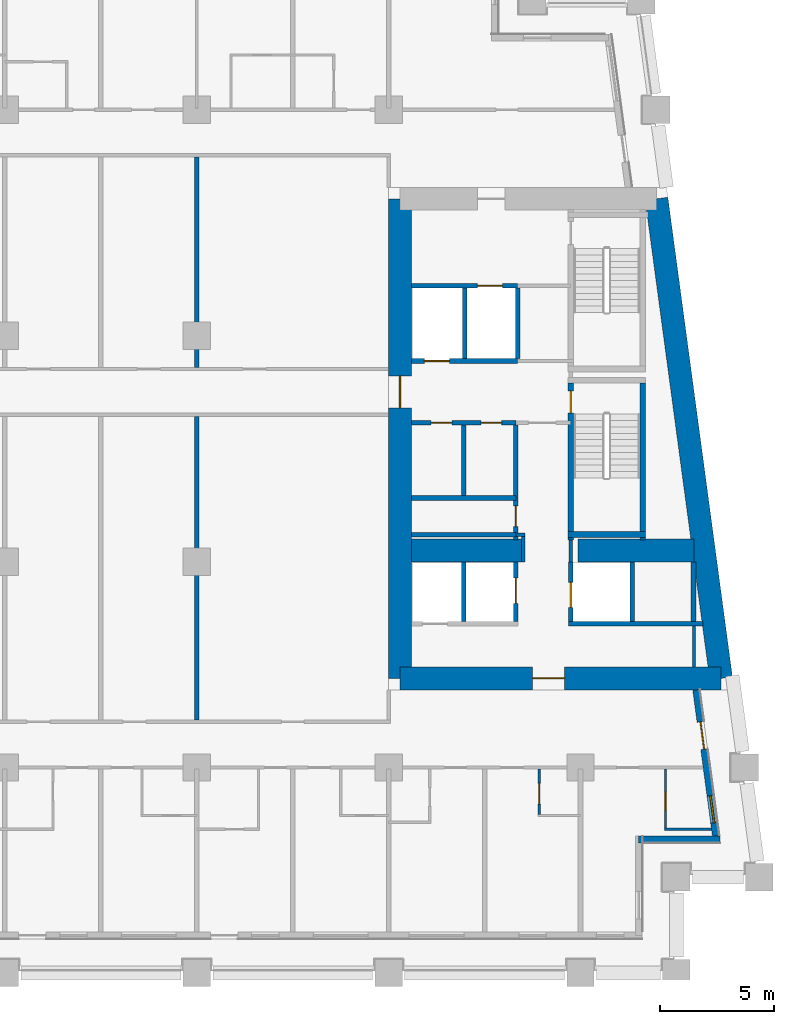
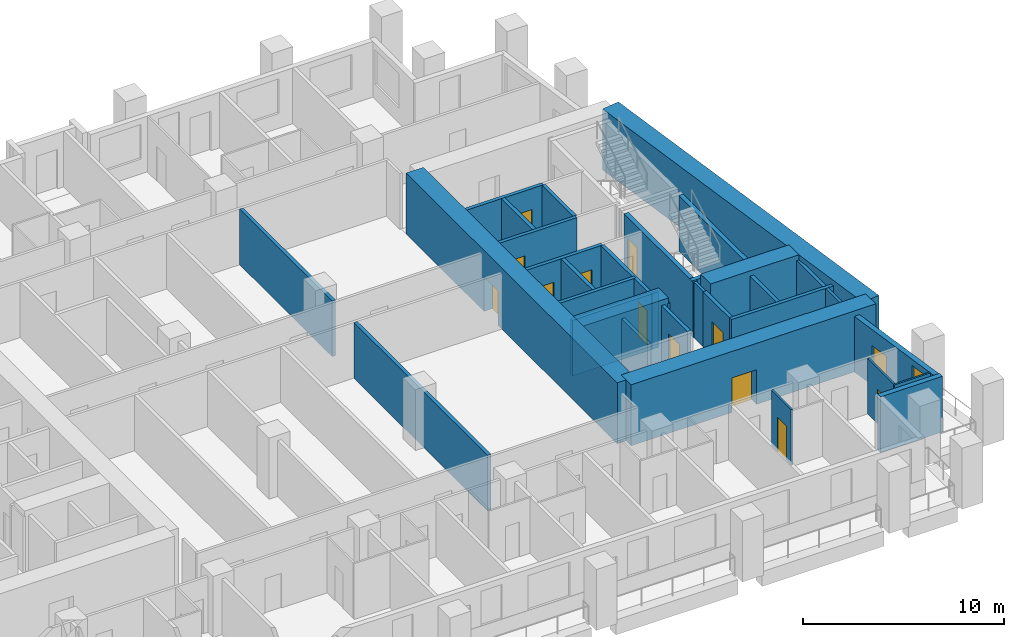
# One storey, part 5 of 13: 34 walls, 13 doors, 1 window, 14 openings.
"""IFC4 building model written with IfcOpenShell, lengths in metres."""

from ifc_helpers import new_model, si_unit, direction, frame, frame_2d, origin, place, context, subcontext, project, spatial, rectangle, extrude, material, layer, layer_set, type_object, element, fill, save


model = new_model("IFC4")

# Units and contexts
model_context = context("Model", 3, precision=1e-05, world=origin(), true_north=direction((0.0, 1.0)))
body_context = subcontext(model_context, "Body", "Model", "MODEL_VIEW")
ifc_project = project(units=[si_unit("LENGTHUNIT", "METRE"), si_unit("AREAUNIT", "SQUARE_METRE"), si_unit("VOLUMEUNIT", "CUBIC_METRE"), si_unit("PLANEANGLEUNIT", "RADIAN"), si_unit("MASSUNIT", "GRAM", prefix="KILO")], contexts=[model_context])

# Site, building, storey
site_placement = place(None, origin())
site = spatial("IfcSite", under=ifc_project, at=site_placement, CompositionType="ELEMENT")
building_placement = place(site_placement, origin())
building = spatial("IfcBuilding", under=site, at=building_placement, Name="Candeia Pilgrim Tower and Theatre", CompositionType="ELEMENT")
storey_placement = place(building_placement, frame((0.0, 0.0, 91.0)))
storey = spatial("IfcBuildingStorey", under=building, at=storey_placement, Name="L20", CompositionType="ELEMENT", Elevation=91.0)

# Wall
ifc_material_1 = material(Name="Concrete C70/85", Category="concrete")
ifc_layer_1 = layer(ifc_material_1, 1.0)
ifc_layer_set_1 = layer_set([ifc_layer_1], Name="Core wall 1000 C70/85")
wall_type_1 = type_object("IfcWallType", Name="Core wall 1000 C70/85", PredefinedType="SHEAR", material=ifc_layer_set_1)
wall_1_placement = place(storey_placement, frame((137.73193359375, 131.89990234375, 0.0), z_axis=(0.0, 0.0, 1.0), x_axis=(0.133411141623, -0.991060778808, 0.0)))
element("IfcWall", 1, at=wall_1_placement, inside=storey, type_object=wall_type_1, Name="Core wall E2", PredefinedType="SHEAR", context=body_context, shape_type="SweptSolid", body=[
    extrude(rectangle(XDim=21.189453125, YDim=1.0, at=frame_2d((10.5947265625, 0.0))), origin(), (0.0, 0.0, 1.0), 3.699951171875),
])

# Wall, opening, door
wall_2_placement = place(storey_placement, frame((140.558837890625, 110.89990234375, 0.0), z_axis=(0.0, 0.0, 1.0), x_axis=(-1.0, 0.0, 0.0)))
wall_2 = element("IfcWall", 2, at=wall_2_placement, inside=storey, type_object=wall_type_1, Name="Core wall E3", PredefinedType="SHEAR", context=body_context, shape_type="SweptSolid", body=[
    extrude(rectangle(XDim=14.058837890625, YDim=1.0, at=frame_2d((7.029296875, 0.0))), origin(), (0.0, 0.0, 1.0), 3.699951171875),
])
opening_1_placement = place(wall_2_placement, frame((6.857666015625, 0.0, 0.0)))
opening_1 = element("IfcOpeningElement", 3, at=opening_1_placement, cuts=wall_2, Name="Opening L20-D062", PredefinedType="OPENING", context=body_context, shape_type="SweptSolid", body=[
    extrude(rectangle(XDim=1.39990234375, YDim=2.10009765625, at=frame_2d((0.699951171875, 1.050048828125))), frame((0.0, 0.510009765625, 0.0), z_axis=(0.0, -1.0, 0.0), x_axis=(1.0, 0.0, 0.0)), (0.0, 0.0, 1.0), 1.02001953125),
])
ifc_material_2 = material(Name="Steel fire door set", Category="steel")
door_type_1 = type_object("IfcDoorType", Name="D-1400-FD60", OperationType="NOTDEFINED", PredefinedType="DOOR", material=ifc_material_2)
door_1_placement = place(opening_1_placement, origin())
door_1 = element("IfcDoor", 4, at=door_1_placement, inside=storey, type_object=door_type_1, Name="Door L20-D062", OperationType="SINGLE_SWING_RIGHT", OverallHeight=2.10009765625, OverallWidth=1.39990234375, PredefinedType="DOOR", context=body_context, shape_type="SweptSolid", body=[
    extrude(rectangle(XDim=1.39990234375, YDim=2.10009765625, at=frame_2d((0.699951171875, 1.050048828125))), frame((0.0, 0.02490234375, 0.0), z_axis=(0.0, -1.0, 0.0), x_axis=(1.0, 0.0, 0.0)), (0.0, 0.0, 1.0), 0.050048828125),
])
fill(opening_1, door_1)

wall_3_placement = place(storey_placement, frame((126.5, 110.89990234375, 0.0), z_axis=(0.0, 0.0, 1.0), x_axis=(0.0, 1.0, 0.0)))
wall_3 = element("IfcWall", 5, at=wall_3_placement, inside=storey, type_object=wall_type_1, Name="Core wall E4", PredefinedType="SHEAR", context=body_context, shape_type="SweptSolid", body=[
    extrude(rectangle(XDim=21.0, YDim=1.0, at=frame_2d((10.5, 0.0))), origin(), (0.0, 0.0, 1.0), 3.699951171875),
])
opening_2_placement = place(wall_3_placement, frame((11.85009765625, 0.0, 0.0)))
opening_2 = element("IfcOpeningElement", 6, at=opening_2_placement, cuts=wall_3, Name="Opening L20-D064", PredefinedType="OPENING", context=body_context, shape_type="SweptSolid", body=[
    extrude(rectangle(XDim=1.39990234375, YDim=2.10009765625, at=frame_2d((0.699951171875, 1.050048828125))), frame((0.0, 0.510009765625, 0.0), z_axis=(0.0, -1.0, 0.0), x_axis=(1.0, 0.0, 0.0)), (0.0, 0.0, 1.0), 1.02001953125),
])
door_2_placement = place(opening_2_placement, origin())
door_2 = element("IfcDoor", 7, at=door_2_placement, inside=storey, type_object=door_type_1, Name="Door L20-D064", OperationType="SINGLE_SWING_RIGHT", OverallHeight=2.10009765625, OverallWidth=1.39990234375, PredefinedType="DOOR", context=body_context, shape_type="SweptSolid", body=[
    extrude(rectangle(XDim=1.39990234375, YDim=2.10009765625, at=frame_2d((0.699951171875, 1.050048828125))), frame((0.0, 0.02490234375, 0.0), z_axis=(0.0, -1.0, 0.0), x_axis=(1.0, 0.0, 0.0)), (0.0, 0.0, 1.0), 0.050048828125),
])
fill(opening_2, door_2)

# Walls
wall_4_placement = place(storey_placement, frame((127.0, 116.5, 0.0), z_axis=(0.0, 0.0, 1.0), x_axis=(1.0, 0.0, 0.0)))
element("IfcWall", 8, at=wall_4_placement, inside=storey, type_object=wall_type_1, Name="Core wall E5", PredefinedType="SHEAR", context=body_context, shape_type="SweptSolid", body=[
    extrude(rectangle(XDim=4.89990234375, YDim=1.0, at=frame_2d((2.449951171875, 0.0))), origin(), (0.0, 0.0, 1.0), 3.699951171875),
])
wall_5_placement = place(storey_placement, frame((134.300048828125, 116.5, 0.0), z_axis=(0.0, 0.0, 1.0), x_axis=(1.0, 0.0, 0.0)))
element("IfcWall", 9, at=wall_5_placement, inside=storey, type_object=wall_type_1, Name="Core wall E6", PredefinedType="SHEAR", context=body_context, shape_type="SweptSolid", body=[
    extrude(rectangle(XDim=5.076904296875, YDim=1.0, at=frame_2d((2.53857421875, 0.0))), origin(), (0.0, 0.0, 1.0), 3.699951171875),
])
ifc_material_3 = material(Name="Ceramic block masonry", Category="masonry")
ifc_layer_2 = layer(ifc_material_3, 0.300048828125)
ifc_layer_set_2 = layer_set([ifc_layer_2], Name="EW1 glazing-line wall 300")
wall_type_2 = type_object("IfcWallType", Name="EW1 glazing-line wall 300", PredefinedType="SOLIDWALL", material=ifc_layer_set_2)
wall_6_placement = place(storey_placement, frame((136.949951171875, 103.85009765625, 0.0), z_axis=(0.0, 0.0, 1.0), x_axis=(1.0, 0.0, 0.0)))
element("IfcWall", 10, at=wall_6_placement, inside=storey, type_object=wall_type_2, Name="External wall L20-2.0", PredefinedType="SOLIDWALL", context=body_context, shape_type="SweptSolid", body=[
    extrude(rectangle(XDim=3.569091796875, YDim=0.300048828125, at=frame_2d((1.78466796875, 0.0))), origin(), (0.0, 0.0, 1.0), 3.3798828125),
])

# Wall, openings, door, window
wall_7_placement = place(storey_placement, frame((140.34765625, 103.85009765625, 0.0), z_axis=(0.0, 0.0, 1.0), x_axis=(-0.133431549479, 0.991058031401, 0.0)))
wall_7 = element("IfcWall", 11, at=wall_7_placement, inside=storey, type_object=wall_type_2, Name="External wall L20-3.0", PredefinedType="SOLIDWALL", context=body_context, shape_type="SweptSolid", body=[
    extrude(rectangle(XDim=6.60888671875, YDim=0.300048828125, at=frame_2d((3.304443359375, 0.0))), origin(), (0.0, 0.0, 1.0), 3.3798828125),
])
opening_3_placement = place(wall_7_placement, frame((0.736572265625, 0.0, 0.89990234375)))
opening_3 = element("IfcOpeningElement", 12, at=opening_3_placement, cuts=wall_7, Name="Opening W-B", PredefinedType="OPENING", context=body_context, shape_type="SweptSolid", body=[
    extrude(rectangle(XDim=1.199951171875, YDim=2.10009765625, at=frame_2d((0.60009765625, 1.050048828125))), frame((0.0, 0.16015625, 0.0), z_axis=(0.0, -1.0, 0.0), x_axis=(1.0, 0.0, 0.0)), (0.0, 0.0, 1.0), 0.320068359375),
])
opening_4_placement = place(wall_7_placement, frame((3.990966796875, 0.0, 0.0)))
opening_4 = element("IfcOpeningElement", 13, at=opening_4_placement, cuts=wall_7, Name="Opening L20-ED207", PredefinedType="OPENING", context=body_context, shape_type="SweptSolid", body=[
    extrude(rectangle(XDim=1.199951171875, YDim=2.39990234375, at=frame_2d((0.60009765625, 1.199951171875))), frame((0.0, 0.16015625, 0.0), z_axis=(0.0, -1.0, 0.0), x_axis=(1.0, 0.0, 0.0)), (0.0, 0.0, 1.0), 0.320068359375),
])
ifc_material_4 = material(Name="Aluminium framed glazed door", Category="aluminium")
door_type_2 = type_object("IfcDoorType", Name="Loggia door 1200x2400", OperationType="DOUBLE_DOOR_SINGLE_SWING", PredefinedType="DOOR", material=ifc_material_4)
door_3_placement = place(opening_4_placement, origin())
door_3 = element("IfcDoor", 14, at=door_3_placement, inside=storey, type_object=door_type_2, Name="Loggia door L20-ED207", OperationType="DOUBLE_DOOR_SINGLE_SWING", OverallHeight=2.39990234375, OverallWidth=1.199951171875, PredefinedType="DOOR", context=body_context, shape_type="SweptSolid", body=[
    extrude(rectangle(XDim=1.199951171875, YDim=2.39990234375, at=frame_2d((0.60009765625, 1.199951171875))), frame((0.0, 0.02490234375, 0.0), z_axis=(0.0, -1.0, 0.0), x_axis=(1.0, 0.0, 0.0)), (0.0, 0.0, 1.0), 0.050048828125),
])
fill(opening_4, door_3)
ifc_material_5 = material(Name="Aluminium framed double glazing", Category="aluminium")
window_type = type_object("IfcWindowType", Name="W-B window 1200x2100", PartitioningType="SINGLE_PANEL", PredefinedType="WINDOW", material=ifc_material_5)
window_placement = place(opening_3_placement, origin())
window = element("IfcWindow", 15, at=window_placement, inside=storey, type_object=window_type, Name="Window W-B L20", OverallHeight=2.10009765625, OverallWidth=1.199951171875, PartitioningType="SINGLE_PANEL", PredefinedType="WINDOW", context=body_context, shape_type="SweptSolid", body=[
    extrude(rectangle(XDim=1.199951171875, YDim=2.10009765625, at=frame_2d((0.60009765625, 1.050048828125))), frame((0.0, 0.030029296875, 0.0), z_axis=(0.0, -1.0, 0.0), x_axis=(1.0, 0.0, 0.0)), (0.0, 0.0, 1.0), 0.06005859375),
])
fill(opening_3, window)

# Wall
ifc_material_6 = material(Name="Gypsum board partition on steel studs", Category="steel")
ifc_layer_3 = layer(ifc_material_6, 0.10009765625)
ifc_layer_set_3 = layer_set([ifc_layer_3], Name="PW-100 room partition")
wall_type_3 = type_object("IfcWallType", Name="PW-100 room partition", PredefinedType="PARTITIONING", material=ifc_layer_set_3)
wall_8_placement = place(storey_placement, frame((138.070068359375, 104.300048828125, 0.0), z_axis=(0.0, 0.0, 1.0), x_axis=(1.0, 0.0, 0.0)))
element("IfcWall", 16, at=wall_8_placement, inside=storey, type_object=wall_type_3, Name="Room partition L20-003", PredefinedType="PARTITIONING", context=body_context, shape_type="SweptSolid", body=[
    extrude(rectangle(XDim=2.07568359375, YDim=0.10009765625, at=frame_2d((1.037841796875, 0.0))), origin(), (0.0, 0.0, 1.0), 3.3798828125),
])

# Wall, opening, door
wall_9_placement = place(storey_placement, frame((132.60009765625, 104.949951171875, 0.0), z_axis=(0.0, 0.0, 1.0), x_axis=(0.0, 1.0, 0.0)))
wall_9 = element("IfcWall", 17, at=wall_9_placement, inside=storey, type_object=wall_type_3, Name="Room partition L20-116", PredefinedType="PARTITIONING", context=body_context, shape_type="SweptSolid", body=[
    extrude(rectangle(XDim=1.97509765625, YDim=0.10009765625, at=frame_2d((0.987548828125, 0.0))), origin(), (0.0, 0.0, 1.0), 3.3798828125),
])
opening_5_placement = place(wall_9_placement, frame((0.449951171875, 0.0, 0.0)))
opening_5 = element("IfcOpeningElement", 18, at=opening_5_placement, cuts=wall_9, Name="Opening L20-D031", PredefinedType="OPENING", context=body_context, shape_type="SweptSolid", body=[
    extrude(rectangle(XDim=0.89990234375, YDim=2.10009765625, at=frame_2d((0.449951171875, 1.050048828125))), frame((0.0, 0.06005859375, 0.0), z_axis=(0.0, -1.0, 0.0), x_axis=(1.0, 0.0, 0.0)), (0.0, 0.0, 1.0), 0.1201171875),
])
ifc_material_7 = material(Name="Timber door leaf", Category="wood")
door_type_3 = type_object("IfcDoorType", Name="D-900", OperationType="NOTDEFINED", PredefinedType="DOOR", material=ifc_material_7)
door_4_placement = place(opening_5_placement, origin())
door_4 = element("IfcDoor", 19, at=door_4_placement, inside=storey, type_object=door_type_3, Name="Door L20-D031", OperationType="SINGLE_SWING_LEFT", OverallHeight=2.10009765625, OverallWidth=0.89990234375, PredefinedType="DOOR", context=body_context, shape_type="SweptSolid", body=[
    extrude(rectangle(XDim=0.89990234375, YDim=2.10009765625, at=frame_2d((0.449951171875, 1.050048828125))), frame((0.0, 0.02490234375, 0.0), z_axis=(0.0, -1.0, 0.0), x_axis=(1.0, 0.0, 0.0)), (0.0, 0.0, 1.0), 0.050048828125),
])
fill(opening_5, door_4)

wall_10_placement = place(storey_placement, frame((138.1201171875, 104.35009765625, 0.0), z_axis=(0.0, 0.0, 1.0), x_axis=(0.0, 1.0, 0.0)))
wall_10 = element("IfcWall", 20, at=wall_10_placement, inside=storey, type_object=wall_type_3, Name="Room partition L20-126", PredefinedType="PARTITIONING", context=body_context, shape_type="SweptSolid", body=[
    extrude(rectangle(XDim=2.574951171875, YDim=0.10009765625, at=frame_2d((1.28759765625, 0.0))), origin(), (0.0, 0.0, 1.0), 3.3798828125),
])
opening_6_placement = place(wall_10_placement, frame((0.780029296875, 0.0, 0.0)))
opening_6 = element("IfcOpeningElement", 21, at=opening_6_placement, cuts=wall_10, Name="Opening L20-D033", PredefinedType="OPENING", context=body_context, shape_type="SweptSolid", body=[
    extrude(rectangle(XDim=0.800048828125, YDim=2.10009765625, at=frame_2d((0.39990234375, 1.050048828125))), frame((0.0, 0.06005859375, 0.0), z_axis=(0.0, -1.0, 0.0), x_axis=(1.0, 0.0, 0.0)), (0.0, 0.0, 1.0), 0.1201171875),
])
door_type_4 = type_object("IfcDoorType", Name="D-800", OperationType="NOTDEFINED", PredefinedType="DOOR", material=ifc_material_7)
door_5_placement = place(opening_6_placement, origin())
door_5 = element("IfcDoor", 22, at=door_5_placement, inside=storey, type_object=door_type_4, Name="Door L20-D033", OperationType="SINGLE_SWING_LEFT", OverallHeight=2.10009765625, OverallWidth=0.800048828125, PredefinedType="DOOR", context=body_context, shape_type="SweptSolid", body=[
    extrude(rectangle(XDim=0.800048828125, YDim=2.10009765625, at=frame_2d((0.39990234375, 1.050048828125))), frame((0.0, 0.02490234375, 0.0), z_axis=(0.0, -1.0, 0.0), x_axis=(1.0, 0.0, 0.0)), (0.0, 0.0, 1.0), 0.050048828125),
])
fill(opening_6, door_5)

# Walls
ifc_layer_4 = layer(ifc_material_6, 0.14990234375)
ifc_layer_set_4 = layer_set([ifc_layer_4], Name="PW-150 lobby wall")
wall_type_4 = type_object("IfcWallType", Name="PW-150 lobby wall", PredefinedType="PARTITIONING", material=ifc_layer_set_4)
wall_11_placement = place(storey_placement, frame((131.572998046875, 117.199951171875, 0.0), z_axis=(0.0, 0.0, 1.0), x_axis=(1.0, 0.0, 0.0)))
element("IfcWall", 23, at=wall_11_placement, inside=storey, type_object=wall_type_4, Name="Lobby wall L20-019", PredefinedType="PARTITIONING", context=body_context, shape_type="SweptSolid", body=[
    extrude(rectangle(XDim=0.402099609375, YDim=0.14990234375, at=frame_2d((0.201171875, 0.0))), origin(), (0.0, 0.0, 1.0), 3.3798828125),
])
wall_12_placement = place(storey_placement, frame((131.89990234375, 116.0, 0.0), z_axis=(0.0, 0.0, 1.0), x_axis=(0.0, 1.0, 0.0)))
element("IfcWall", 24, at=wall_12_placement, inside=storey, type_object=wall_type_4, Name="Lobby wall L20-115", PredefinedType="PARTITIONING", context=body_context, shape_type="SweptSolid", body=[
    extrude(rectangle(XDim=1.125, YDim=0.14990234375, at=frame_2d((0.5625, 0.0))), origin(), (0.0, 0.0, 1.0), 3.3798828125),
])
wall_13_placement = place(storey_placement, frame((133.972900390625, 116.0, 0.0), z_axis=(0.0, 0.0, 1.0), x_axis=(0.0, 1.0, 0.0)))
element("IfcWall", 25, at=wall_13_placement, inside=storey, type_object=wall_type_4, Name="Lobby wall L20-118", PredefinedType="PARTITIONING", context=body_context, shape_type="SweptSolid", body=[
    extrude(rectangle(XDim=0.969970703125, YDim=0.14990234375, at=frame_2d((0.48486328125, 0.0))), origin(), (0.0, 0.0, 1.0), 3.3798828125),
])
wall_14_placement = place(storey_placement, frame((139.37109375, 111.39990234375, 0.0), z_axis=(0.0, 0.0, 1.0), x_axis=(0.0, 1.0, 0.0)))
element("IfcWall", 26, at=wall_14_placement, inside=storey, type_object=wall_type_4, Name="Lobby wall L20-128", PredefinedType="PARTITIONING", context=body_context, shape_type="SweptSolid", body=[
    extrude(rectangle(XDim=1.800048828125, YDim=0.14990234375, at=frame_2d((0.89990234375, 0.0))), origin(), (0.0, 0.0, 1.0), 3.3798828125),
])
ifc_layer_5 = layer(ifc_material_6, 0.199951171875)
ifc_layer_set_5 = layer_set([ifc_layer_5], Name="PW-200 party wall")
wall_type_5 = type_object("IfcWallType", Name="PW-200 party wall", PredefinedType="PARTITIONING", material=ifc_layer_set_5)
wall_15_placement = place(storey_placement, frame((117.60009765625, 109.074951171875, 0.0), z_axis=(0.0, 0.0, 1.0), x_axis=(0.0, 1.0, 0.0)))
element("IfcWall", 27, at=wall_15_placement, inside=storey, type_object=wall_type_5, Name="Party wall L20-095", PredefinedType="PARTITIONING", context=body_context, shape_type="SweptSolid", body=[
    extrude(rectangle(XDim=13.300048828125, YDim=0.199951171875, at=frame_2d((6.64990234375, 0.0))), origin(), (0.0, 0.0, 1.0), 3.3798828125),
])
wall_16_placement = place(storey_placement, frame((117.60009765625, 124.52490234375, 0.0), z_axis=(0.0, 0.0, 1.0), x_axis=(0.0, 1.0, 0.0)))
element("IfcWall", 28, at=wall_16_placement, inside=storey, type_object=wall_type_5, Name="Party wall L20-096", PredefinedType="PARTITIONING", context=body_context, shape_type="SweptSolid", body=[
    extrude(rectangle(XDim=9.2001953125, YDim=0.199951171875, at=frame_2d((4.60009765625, 0.0))), origin(), (0.0, 0.0, 1.0), 3.3798828125),
])
ifc_material_8 = material(Name="Concrete C40/50", Category="concrete")
ifc_layer_6 = layer(ifc_material_8, 0.199951171875)
ifc_layer_set_6 = layer_set([ifc_layer_6], Name="SW-200 shaft wall")
wall_type_6 = type_object("IfcWallType", Name="SW-200 shaft wall", PredefinedType="PARTITIONING", material=ifc_layer_set_6)
wall_17_placement = place(storey_placement, frame((133.873046875, 113.300048828125, 0.0), z_axis=(0.0, 0.0, 1.0), x_axis=(1.0, 0.0, 0.0)))
element("IfcWall", 29, at=wall_17_placement, inside=storey, type_object=wall_type_6, Name="Shaft wall L20-015", PredefinedType="PARTITIONING", context=body_context, shape_type="SweptSolid", body=[
    extrude(rectangle(XDim=5.888427734375, YDim=0.199951171875, at=frame_2d((2.9443359375, 0.0))), origin(), (0.0, 0.0, 1.0), 3.3798828125),
])
for number, where, z_axis, x_axis, name in (
    (30, (127.0, 117.199951171875, 0.0), (0.0, 0.0, 1.0), (1.0, 0.0, 0.0), "Shaft wall L20-017"),
    (31, (127.0, 118.800048828125, 0.0), (0.0, 0.0, 1.0), (1.0, 0.0, 0.0), "Shaft wall L20-023"),
):
    element("IfcWall", number, at=place(storey_placement, frame(where, z_axis=z_axis, x_axis=x_axis)), inside=storey, type_object=wall_type_6, Name=name, PredefinedType="PARTITIONING", context=body_context, shape_type="SweptSolid", body=[
        extrude(rectangle(XDim=4.572998046875, YDim=0.199951171875, at=frame_2d((2.28662109375, 0.0))), origin(), (0.0, 0.0, 1.0), 3.3798828125),
    ])

# Wall, openings, doors
wall_18_placement = place(storey_placement, frame((127.0, 122.10009765625, 0.0), z_axis=(0.0, 0.0, 1.0), x_axis=(1.0, 0.0, 0.0)))
wall_18 = element("IfcWall", 32, at=wall_18_placement, inside=storey, type_object=wall_type_6, Name="Shaft wall L20-025", PredefinedType="PARTITIONING", context=body_context, shape_type="SweptSolid", body=[
    extrude(rectangle(XDim=4.572998046875, YDim=0.199951171875, at=frame_2d((2.28662109375, 0.0))), origin(), (0.0, 0.0, 1.0), 3.3798828125),
])
opening_7_placement = place(wall_18_placement, frame((3.048095703125, 0.0, 0.0)))
opening_7 = element("IfcOpeningElement", 33, at=opening_7_placement, cuts=wall_18, Name="Opening L20-D008", PredefinedType="OPENING", context=body_context, shape_type="SweptSolid", body=[
    extrude(rectangle(XDim=0.89990234375, YDim=2.10009765625, at=frame_2d((0.449951171875, 1.050048828125))), frame((0.0, 0.10986328125, 0.0), z_axis=(0.0, -1.0, 0.0), x_axis=(1.0, 0.0, 0.0)), (0.0, 0.0, 1.0), 0.219970703125),
])
opening_8_placement = place(wall_18_placement, frame((0.864990234375, 0.0, 0.0)))
opening_8 = element("IfcOpeningElement", 34, at=opening_8_placement, cuts=wall_18, Name="Opening L20-D009", PredefinedType="OPENING", context=body_context, shape_type="SweptSolid", body=[
    extrude(rectangle(XDim=0.89990234375, YDim=2.10009765625, at=frame_2d((0.449951171875, 1.050048828125))), frame((0.0, 0.10986328125, 0.0), z_axis=(0.0, -1.0, 0.0), x_axis=(1.0, 0.0, 0.0)), (0.0, 0.0, 1.0), 0.219970703125),
])
door_type_5 = type_object("IfcDoorType", Name="D-900-FD60", OperationType="NOTDEFINED", PredefinedType="DOOR", material=ifc_material_2)
door_6_placement = place(opening_7_placement, origin())
door_6 = element("IfcDoor", 35, at=door_6_placement, inside=storey, type_object=door_type_5, Name="Door L20-D008", OperationType="SINGLE_SWING_LEFT", OverallHeight=2.10009765625, OverallWidth=0.89990234375, PredefinedType="DOOR", context=body_context, shape_type="SweptSolid", body=[
    extrude(rectangle(XDim=0.89990234375, YDim=2.10009765625, at=frame_2d((0.449951171875, 1.050048828125))), frame((0.0, 0.02490234375, 0.0), z_axis=(0.0, -1.0, 0.0), x_axis=(1.0, 0.0, 0.0)), (0.0, 0.0, 1.0), 0.050048828125),
])
fill(opening_7, door_6)
door_7_placement = place(opening_8_placement, origin())
door_7 = element("IfcDoor", 36, at=door_7_placement, inside=storey, type_object=door_type_5, Name="Door L20-D009", OperationType="SINGLE_SWING_RIGHT", OverallHeight=2.10009765625, OverallWidth=0.89990234375, PredefinedType="DOOR", context=body_context, shape_type="SweptSolid", body=[
    extrude(rectangle(XDim=0.89990234375, YDim=2.10009765625, at=frame_2d((0.449951171875, 1.050048828125))), frame((0.0, 0.02490234375, 0.0), z_axis=(0.0, -1.0, 0.0), x_axis=(1.0, 0.0, 0.0)), (0.0, 0.0, 1.0), 0.050048828125),
])
fill(opening_8, door_7)

# Wall, opening, door
wall_19_placement = place(storey_placement, frame((127.0, 124.800048828125, 0.0), z_axis=(0.0, 0.0, 1.0), x_axis=(1.0, 0.0, 0.0)))
wall_19 = element("IfcWall", 37, at=wall_19_placement, inside=storey, type_object=wall_type_6, Name="Shaft wall L20-035", PredefinedType="PARTITIONING", context=body_context, shape_type="SweptSolid", body=[
    extrude(rectangle(XDim=4.648681640625, YDim=0.199951171875, at=frame_2d((2.32421875, 0.0))), origin(), (0.0, 0.0, 1.0), 3.3798828125),
])
opening_9_placement = place(wall_19_placement, frame((0.56005859375, 0.0, 0.0)))
opening_9 = element("IfcOpeningElement", 38, at=opening_9_placement, cuts=wall_19, Name="Opening L20-LD05", PredefinedType="OPENING", context=body_context, shape_type="SweptSolid", body=[
    extrude(rectangle(XDim=1.10009765625, YDim=2.10009765625, at=frame_2d((0.550048828125, 1.050048828125))), frame((0.0, 0.10986328125, 0.0), z_axis=(0.0, -1.0, 0.0), x_axis=(1.0, 0.0, 0.0)), (0.0, 0.0, 1.0), 0.219970703125),
])
ifc_material_9 = material(Name="Glazed aluminium landing door", Category="aluminium")
door_type_6 = type_object("IfcDoorType", Name="LD-1100-EI120", OperationType="SLIDING_TO_LEFT", PredefinedType="DOOR", material=ifc_material_9)
door_8_placement = place(opening_9_placement, origin())
door_8 = element("IfcDoor", 39, at=door_8_placement, inside=storey, type_object=door_type_6, Name="Landing door 05 L20", OperationType="SLIDING_TO_LEFT", OverallHeight=2.10009765625, OverallWidth=1.10009765625, PredefinedType="DOOR", context=body_context, shape_type="SweptSolid", body=[
    extrude(rectangle(XDim=1.10009765625, YDim=2.10009765625, at=frame_2d((0.550048828125, 1.050048828125))), frame((0.0, 0.02490234375, 0.0), z_axis=(0.0, -1.0, 0.0), x_axis=(1.0, 0.0, 0.0)), (0.0, 0.0, 1.0), 0.050048828125),
])
fill(opening_9, door_8)

wall_20_placement = place(storey_placement, frame((127.0, 128.10009765625, 0.0), z_axis=(0.0, 0.0, 1.0), x_axis=(1.0, 0.0, 0.0)))
wall_20 = element("IfcWall", 40, at=wall_20_placement, inside=storey, type_object=wall_type_6, Name="Shaft wall L20-038", PredefinedType="PARTITIONING", context=body_context, shape_type="SweptSolid", body=[
    extrude(rectangle(XDim=4.648681640625, YDim=0.199951171875, at=frame_2d((2.32421875, 0.0))), origin(), (0.0, 0.0, 1.0), 3.3798828125),
])
opening_10_placement = place(wall_20_placement, frame((2.884033203125, 0.0, 0.0)))
opening_10 = element("IfcOpeningElement", 41, at=opening_10_placement, cuts=wall_20, Name="Opening L20-LD04", PredefinedType="OPENING", context=body_context, shape_type="SweptSolid", body=[
    extrude(rectangle(XDim=1.10009765625, YDim=2.10009765625, at=frame_2d((0.550048828125, 1.050048828125))), frame((0.0, 0.10986328125, 0.0), z_axis=(0.0, -1.0, 0.0), x_axis=(1.0, 0.0, 0.0)), (0.0, 0.0, 1.0), 0.219970703125),
])
door_9_placement = place(opening_10_placement, origin())
door_9 = element("IfcDoor", 42, at=door_9_placement, inside=storey, type_object=door_type_6, Name="Landing door 04 L20", OperationType="SLIDING_TO_LEFT", OverallHeight=2.10009765625, OverallWidth=1.10009765625, PredefinedType="DOOR", context=body_context, shape_type="SweptSolid", body=[
    extrude(rectangle(XDim=1.10009765625, YDim=2.10009765625, at=frame_2d((0.550048828125, 1.050048828125))), frame((0.0, 0.02490234375, 0.0), z_axis=(0.0, -1.0, 0.0), x_axis=(1.0, 0.0, 0.0)), (0.0, 0.0, 1.0), 0.050048828125),
])
fill(opening_10, door_9)

# Walls
wall_21_placement = place(storey_placement, frame((129.28662109375, 113.39990234375, 0.0), z_axis=(0.0, 0.0, 1.0), x_axis=(0.0, 1.0, 0.0)))
element("IfcWall", 43, at=wall_21_placement, inside=storey, type_object=wall_type_6, Name="Shaft wall L20-108", PredefinedType="PARTITIONING", context=body_context, shape_type="SweptSolid", body=[
    extrude(rectangle(XDim=2.60009765625, YDim=0.199951171875, at=frame_2d((1.300048828125, 0.0))), origin(), (0.0, 0.0, 1.0), 3.3798828125),
])
for number, where, z_axis, x_axis, name in (
    (44, (129.28662109375, 118.89990234375, 0.0), (0.0, 0.0, 1.0), (0.0, 1.0, 0.0), "Shaft wall L20-109"),
    (45, (129.32421875, 124.89990234375, 0.0), (0.0, 0.0, 1.0), (0.0, 1.0, 0.0), "Shaft wall L20-110"),
):
    element("IfcWall", number, at=place(storey_placement, frame(where, z_axis=z_axis, x_axis=x_axis)), inside=storey, type_object=wall_type_6, Name=name, PredefinedType="PARTITIONING", context=body_context, shape_type="SweptSolid", body=[
        extrude(rectangle(XDim=3.10009765625, YDim=0.199951171875, at=frame_2d((1.550048828125, 0.0))), origin(), (0.0, 0.0, 1.0), 3.3798828125),
    ])

# Wall, opening, door
wall_22_placement = place(storey_placement, frame((131.572998046875, 113.39990234375, 0.0), z_axis=(0.0, 0.0, 1.0), x_axis=(0.0, 1.0, 0.0)))
wall_22 = element("IfcWall", 46, at=wall_22_placement, inside=storey, type_object=wall_type_6, Name="Shaft wall L20-112", PredefinedType="PARTITIONING", context=body_context, shape_type="SweptSolid", body=[
    extrude(rectangle(XDim=2.60009765625, YDim=0.199951171875, at=frame_2d((1.300048828125, 0.0))), origin(), (0.0, 0.0, 1.0), 3.3798828125),
])
opening_11_placement = place(wall_22_placement, frame((0.7900390625, 0.0, 0.0)))
opening_11 = element("IfcOpeningElement", 47, at=opening_11_placement, cuts=wall_22, Name="Opening L20-LD07", PredefinedType="OPENING", context=body_context, shape_type="SweptSolid", body=[
    extrude(rectangle(XDim=1.10009765625, YDim=2.10009765625, at=frame_2d((0.550048828125, 1.050048828125))), frame((0.0, 0.10986328125, 0.0), z_axis=(0.0, -1.0, 0.0), x_axis=(1.0, 0.0, 0.0)), (0.0, 0.0, 1.0), 0.219970703125),
])
door_10_placement = place(opening_11_placement, origin())
door_10 = element("IfcDoor", 48, at=door_10_placement, inside=storey, type_object=door_type_6, Name="Landing door 07 L20", OperationType="SLIDING_TO_LEFT", OverallHeight=2.10009765625, OverallWidth=1.10009765625, PredefinedType="DOOR", context=body_context, shape_type="SweptSolid", body=[
    extrude(rectangle(XDim=1.10009765625, YDim=2.10009765625, at=frame_2d((0.550048828125, 1.050048828125))), frame((0.0, 0.02490234375, 0.0), z_axis=(0.0, -1.0, 0.0), x_axis=(1.0, 0.0, 0.0)), (0.0, 0.0, 1.0), 0.050048828125),
])
fill(opening_11, door_10)

wall_23_placement = place(storey_placement, frame((131.572998046875, 116.969970703125, 0.0), z_axis=(0.0, 0.0, 1.0), x_axis=(0.0, 1.0, 0.0)))
wall_23 = element("IfcWall", 49, at=wall_23_placement, inside=storey, type_object=wall_type_6, Name="Shaft wall L20-113", PredefinedType="PARTITIONING", context=body_context, shape_type="SweptSolid", body=[
    extrude(rectangle(XDim=5.030029296875, YDim=0.199951171875, at=frame_2d((2.51513671875, 0.0))), origin(), (0.0, 0.0, 1.0), 3.3798828125),
])
opening_12_placement = place(wall_23_placement, frame((0.580078125, 0.0, 0.0)))
opening_12 = element("IfcOpeningElement", 50, at=opening_12_placement, cuts=wall_23, Name="Opening L20-D012", PredefinedType="OPENING", context=body_context, shape_type="SweptSolid", body=[
    extrude(rectangle(XDim=0.89990234375, YDim=2.10009765625, at=frame_2d((0.449951171875, 1.050048828125))), frame((0.0, 0.10986328125, 0.0), z_axis=(0.0, -1.0, 0.0), x_axis=(1.0, 0.0, 0.0)), (0.0, 0.0, 1.0), 0.219970703125),
])
door_11_placement = place(opening_12_placement, origin())
door_11 = element("IfcDoor", 51, at=door_11_placement, inside=storey, type_object=door_type_5, Name="Door L20-D012", OperationType="SINGLE_SWING_LEFT", OverallHeight=2.10009765625, OverallWidth=0.89990234375, PredefinedType="DOOR", context=body_context, shape_type="SweptSolid", body=[
    extrude(rectangle(XDim=0.89990234375, YDim=2.10009765625, at=frame_2d((0.449951171875, 1.050048828125))), frame((0.0, 0.02490234375, 0.0), z_axis=(0.0, -1.0, 0.0), x_axis=(1.0, 0.0, 0.0)), (0.0, 0.0, 1.0), 0.050048828125),
])
fill(opening_12, door_11)

# Wall
wall_24_placement = place(storey_placement, frame((131.648681640625, 124.89990234375, 0.0), z_axis=(0.0, 0.0, 1.0), x_axis=(0.0, 1.0, 0.0)))
element("IfcWall", 52, at=wall_24_placement, inside=storey, type_object=wall_type_6, Name="Shaft wall L20-114", PredefinedType="PARTITIONING", context=body_context, shape_type="SweptSolid", body=[
    extrude(rectangle(XDim=3.10009765625, YDim=0.199951171875, at=frame_2d((1.550048828125, 0.0))), origin(), (0.0, 0.0, 1.0), 3.3798828125),
])

# Wall, opening, door
wall_25_placement = place(storey_placement, frame((133.972900390625, 113.39990234375, 0.0), z_axis=(0.0, 0.0, 1.0), x_axis=(0.0, 1.0, 0.0)))
wall_25 = element("IfcWall", 53, at=wall_25_placement, inside=storey, type_object=wall_type_6, Name="Shaft wall L20-117", PredefinedType="PARTITIONING", context=body_context, shape_type="SweptSolid", body=[
    extrude(rectangle(XDim=2.60009765625, YDim=0.199951171875, at=frame_2d((1.300048828125, 0.0))), origin(), (0.0, 0.0, 1.0), 3.3798828125),
])
opening_13_placement = place(wall_25_placement, frame((0.610107421875, 0.0, 0.0)))
opening_13 = element("IfcOpeningElement", 54, at=opening_13_placement, cuts=wall_25, Name="Opening L20-LD06", PredefinedType="OPENING", context=body_context, shape_type="SweptSolid", body=[
    extrude(rectangle(XDim=1.10009765625, YDim=2.10009765625, at=frame_2d((0.550048828125, 1.050048828125))), frame((0.0, 0.10986328125, 0.0), z_axis=(0.0, -1.0, 0.0), x_axis=(1.0, 0.0, 0.0)), (0.0, 0.0, 1.0), 0.219970703125),
])
door_12_placement = place(opening_13_placement, origin())
door_12 = element("IfcDoor", 55, at=door_12_placement, inside=storey, type_object=door_type_6, Name="Landing door 06 L20", OperationType="SLIDING_TO_LEFT", OverallHeight=2.10009765625, OverallWidth=1.10009765625, PredefinedType="DOOR", context=body_context, shape_type="SweptSolid", body=[
    extrude(rectangle(XDim=1.10009765625, YDim=2.10009765625, at=frame_2d((0.550048828125, 1.050048828125))), frame((0.0, 0.02490234375, 0.0), z_axis=(0.0, -1.0, 0.0), x_axis=(1.0, 0.0, 0.0)), (0.0, 0.0, 1.0), 0.050048828125),
])
fill(opening_13, door_12)

# Walls
for number, where, z_axis, x_axis, name in (
    (56, (136.672119140625, 113.39990234375, 0.0), (0.0, 0.0, 1.0), (0.0, 1.0, 0.0), "Shaft wall L20-123"),
    (57, (139.348876953125, 113.39990234375, 0.0), (0.0, 0.0, 1.0), (0.0, 1.0, 0.0), "Shaft wall L20-127"),
):
    element("IfcWall", number, at=place(storey_placement, frame(where, z_axis=z_axis, x_axis=x_axis)), inside=storey, type_object=wall_type_6, Name=name, PredefinedType="PARTITIONING", context=body_context, shape_type="SweptSolid", body=[
        extrude(rectangle(XDim=2.60009765625, YDim=0.199951171875, at=frame_2d((1.300048828125, 0.0))), origin(), (0.0, 0.0, 1.0), 3.3798828125),
    ])
ifc_layer_7 = layer(ifc_material_8, 0.25)
ifc_layer_set_7 = layer_set([ifc_layer_7], Name="SW-250 stair wall")
wall_type_7 = type_object("IfcWallType", Name="SW-250 stair wall", PredefinedType="PARTITIONING", material=ifc_layer_set_7)
wall_26_placement = place(storey_placement, frame((133.847900390625, 117.199951171875, 0.0), z_axis=(0.0, 0.0, 1.0), x_axis=(1.0, 0.0, 0.0)))
element("IfcWall", 58, at=wall_26_placement, inside=storey, type_object=wall_type_7, Name="Stair wall L20-021", PredefinedType="PARTITIONING", context=body_context, shape_type="SweptSolid", body=[
    extrude(rectangle(XDim=3.400146484375, YDim=0.25, at=frame_2d((1.7001953125, 0.0))), origin(), (0.0, 0.0, 1.0), 3.3798828125),
])

# Wall, opening, door
wall_27_placement = place(storey_placement, frame((133.972900390625, 116.969970703125, 0.0), z_axis=(0.0, 0.0, 1.0), x_axis=(0.0, 1.0, 0.0)))
wall_27 = element("IfcWall", 59, at=wall_27_placement, inside=storey, type_object=wall_type_7, Name="Stair wall L20-120", PredefinedType="PARTITIONING", context=body_context, shape_type="SweptSolid", body=[
    extrude(rectangle(XDim=6.85498046875, YDim=0.25, at=frame_2d((3.427490234375, 0.0))), origin(), (0.0, 0.0, 1.0), 3.3798828125),
])
opening_14_placement = place(wall_27_placement, frame((5.554931640625, 0.0, 0.0)))
opening_14 = element("IfcOpeningElement", 60, at=opening_14_placement, cuts=wall_27, Name="Opening L20-D010", PredefinedType="OPENING", context=body_context, shape_type="SweptSolid", body=[
    extrude(rectangle(XDim=0.949951171875, YDim=2.10009765625, at=frame_2d((0.47509765625, 1.050048828125))), frame((0.0, 0.135009765625, 0.0), z_axis=(0.0, -1.0, 0.0), x_axis=(1.0, 0.0, 0.0)), (0.0, 0.0, 1.0), 0.27001953125),
])
door_type_7 = type_object("IfcDoorType", Name="D-950-FD60", OperationType="NOTDEFINED", PredefinedType="DOOR", material=ifc_material_2)
door_13_placement = place(opening_14_placement, origin())
door_13 = element("IfcDoor", 61, at=door_13_placement, inside=storey, type_object=door_type_7, Name="Door L20-D010", OperationType="SINGLE_SWING_LEFT", OverallHeight=2.10009765625, OverallWidth=0.949951171875, PredefinedType="DOOR", context=body_context, shape_type="SweptSolid", body=[
    extrude(rectangle(XDim=0.949951171875, YDim=2.10009765625, at=frame_2d((0.47509765625, 1.050048828125))), frame((0.0, 0.02490234375, 0.0), z_axis=(0.0, -1.0, 0.0), x_axis=(1.0, 0.0, 0.0)), (0.0, 0.0, 1.0), 0.050048828125),
])
fill(opening_14, door_13)

# Wall
wall_28_placement = place(storey_placement, frame((137.123046875, 116.969970703125, 0.0), z_axis=(0.0, 0.0, 1.0), x_axis=(0.0, 1.0, 0.0)))
element("IfcWall", 62, at=wall_28_placement, inside=storey, type_object=wall_type_7, Name="Stair wall L20-124", PredefinedType="PARTITIONING", context=body_context, shape_type="SweptSolid", body=[
    extrude(rectangle(XDim=6.85498046875, YDim=0.25, at=frame_2d((3.427490234375, 0.0))), origin(), (0.0, 0.0, 1.0), 3.3798828125),
])

save(model, "model.ifc")
